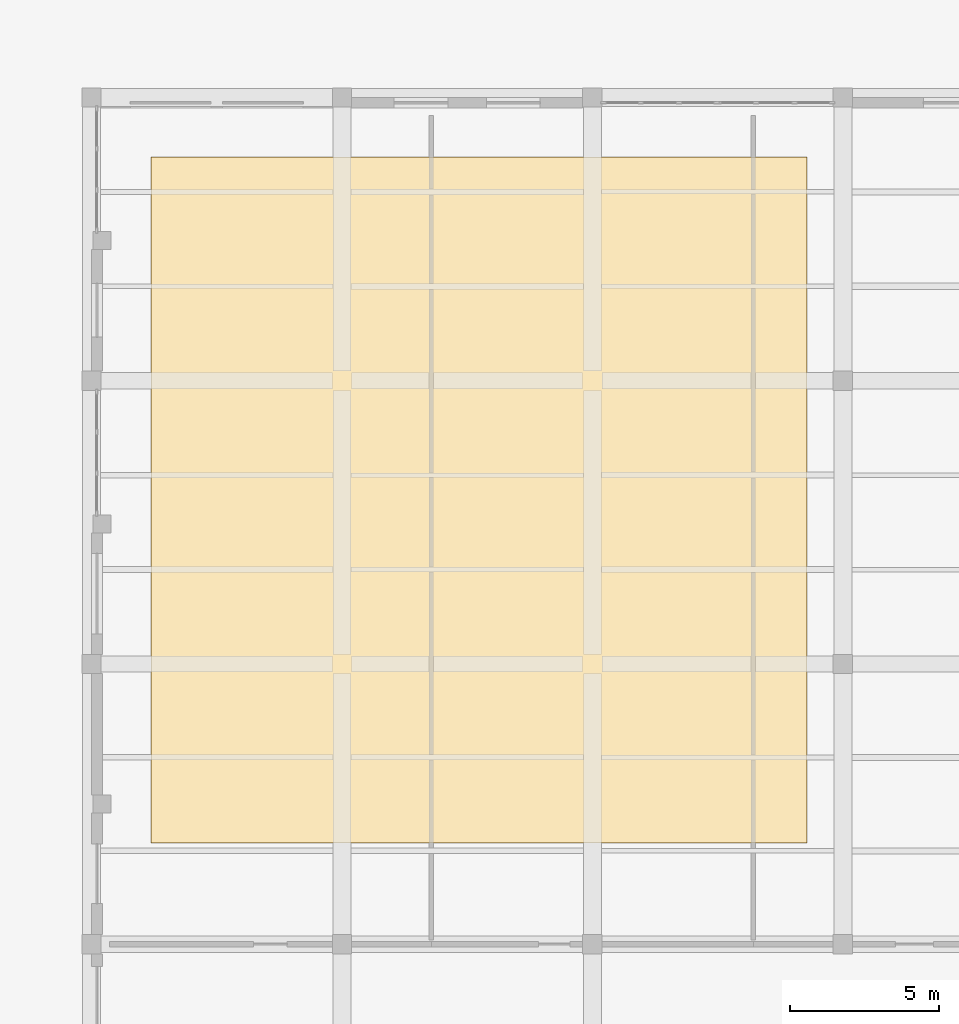
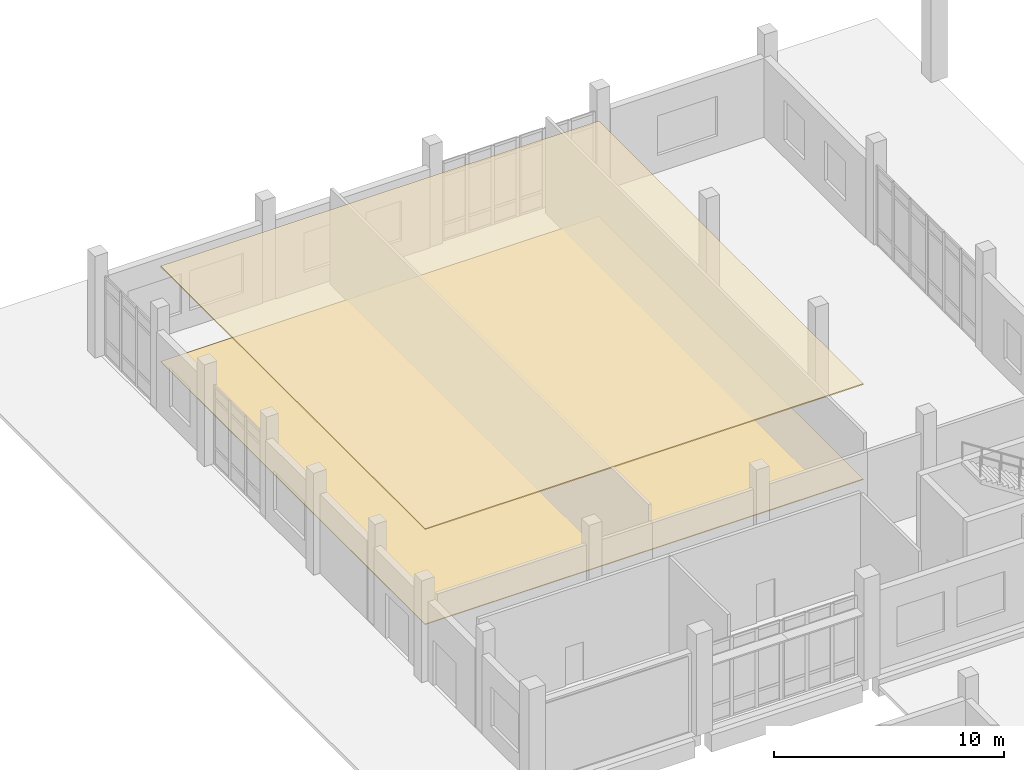
# One storey, part 76 of 79: 2 coverings.
"""IFC4 building model written with IfcOpenShell, lengths in metres."""

from ifc_helpers import new_model, si_unit, direction, frame, origin, place, context, subcontext, project, spatial, polyline, outline, extrude, material, layer, layer_set, type_object, element, save


model = new_model("IFC4")

# Units and contexts
model_context = context("Model", 3, precision=1e-05, world=origin(), true_north=direction((0.0, 1.0)))
body_context = subcontext(model_context, "Body", "Model", "MODEL_VIEW")
ifc_project = project(units=[si_unit("LENGTHUNIT", "METRE"), si_unit("AREAUNIT", "SQUARE_METRE"), si_unit("VOLUMEUNIT", "CUBIC_METRE"), si_unit("PLANEANGLEUNIT", "RADIAN"), si_unit("MASSUNIT", "GRAM", prefix="KILO")], contexts=[model_context])

# Site, building, storey
site_placement = place(None, origin())
site = spatial("IfcSite", under=ifc_project, at=site_placement, CompositionType="ELEMENT")
building_placement = place(site_placement, origin())
building = spatial("IfcBuilding", under=site, at=building_placement, Name="Kelarvand Opera House", CompositionType="ELEMENT")
storey_placement = place(building_placement, origin())
storey = spatial("IfcBuildingStorey", under=building, at=storey_placement, Name="L00", CompositionType="ELEMENT", Elevation=0.0)

# Coverings
ifc_material_1 = material(Name="Honed Azarshahr travertine stone flooring", Category="masonry")
ifc_layer_1 = layer(ifc_material_1, 0.0400390625, Name="Honed Azarshahr travertine stone flooring", Category="masonry")
ifc_layer_set_1 = layer_set([ifc_layer_1], Name="Honed Azarshahr travertine stone flooring")
covering_type_1 = type_object("IfcCoveringType", Name="Honed Azarshahr Travertine Foyer Flooring 40mm", PredefinedType="FLOORING", material=ifc_layer_set_1)
covering_1_placement = place(storey_placement, origin())
element("IfcCovering", 1, at=covering_1_placement, inside=storey, type_object=covering_type_1, Name="V3 L00 Architectural Flooring 12", PredefinedType="FLOORING", context=body_context, shape_type="SweptSolid", body=[
    extrude(outline(polyline([(11.0, 100.0), (33.0, 100.0), (33.0, 123.0), (11.0, 123.0), (11.0, 100.0)])), origin(), (0.0, 0.0, 1.0), 0.0400390625),
])
ifc_material_2 = material(Name="Perforated walnut acoustic slats on steel sub-frame", Category="steel")
ifc_layer_2 = layer(ifc_material_2, 0.06005859375, Name="Perforated walnut acoustic slats on steel sub-frame", Category="steel")
ifc_layer_set_2 = layer_set([ifc_layer_2], Name="Perforated walnut acoustic slats on steel sub-frame")
covering_type_2 = type_object("IfcCoveringType", Name="Sculpted Timber Acoustic Soffit and Hall Ceiling 60mm", PredefinedType="CEILING", material=ifc_layer_set_2)
covering_2_placement = place(storey_placement, frame((0.0, 0.0, 5.0400390625)))
element("IfcCovering", 2, at=covering_2_placement, inside=storey, type_object=covering_type_2, Name="V3 L00 Acoustic Walnut Ceiling 3", PredefinedType="CEILING", context=body_context, shape_type="SweptSolid", body=[
    extrude(outline(polyline([(11.0, 100.0), (33.0, 100.0), (33.0, 123.0), (11.0, 123.0), (11.0, 100.0)])), origin(), (0.0, 0.0, 1.0), 0.06005859375),
])

save(model, "model.ifc")
